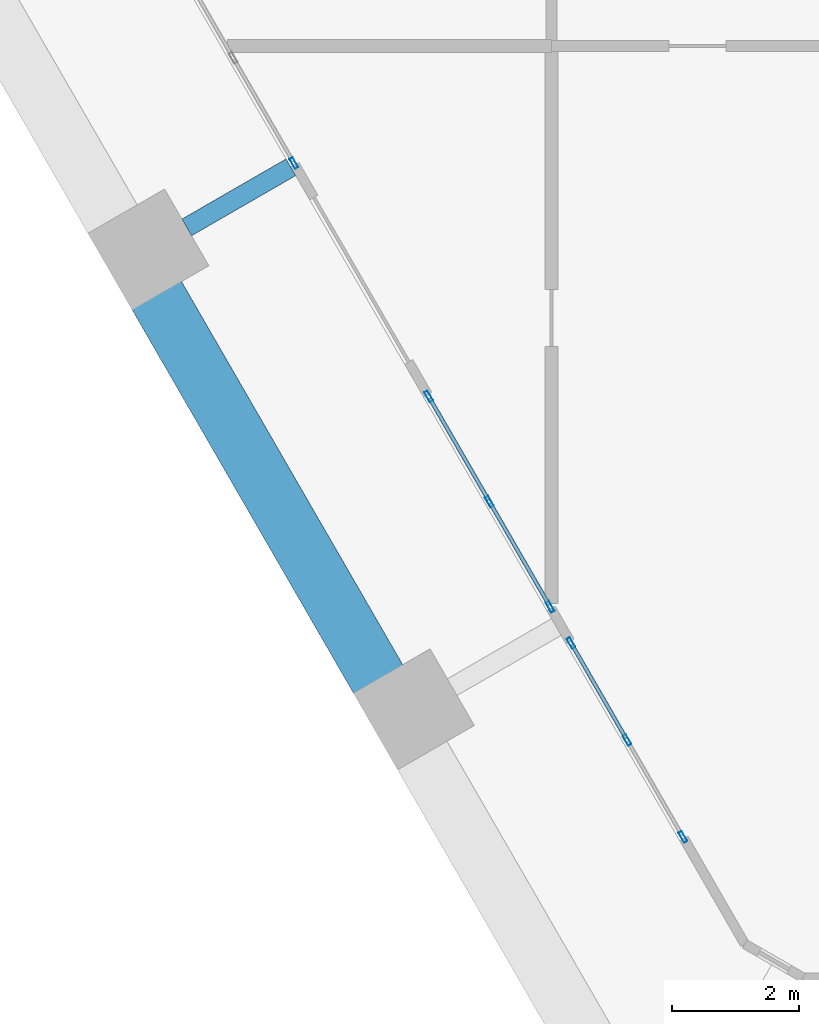
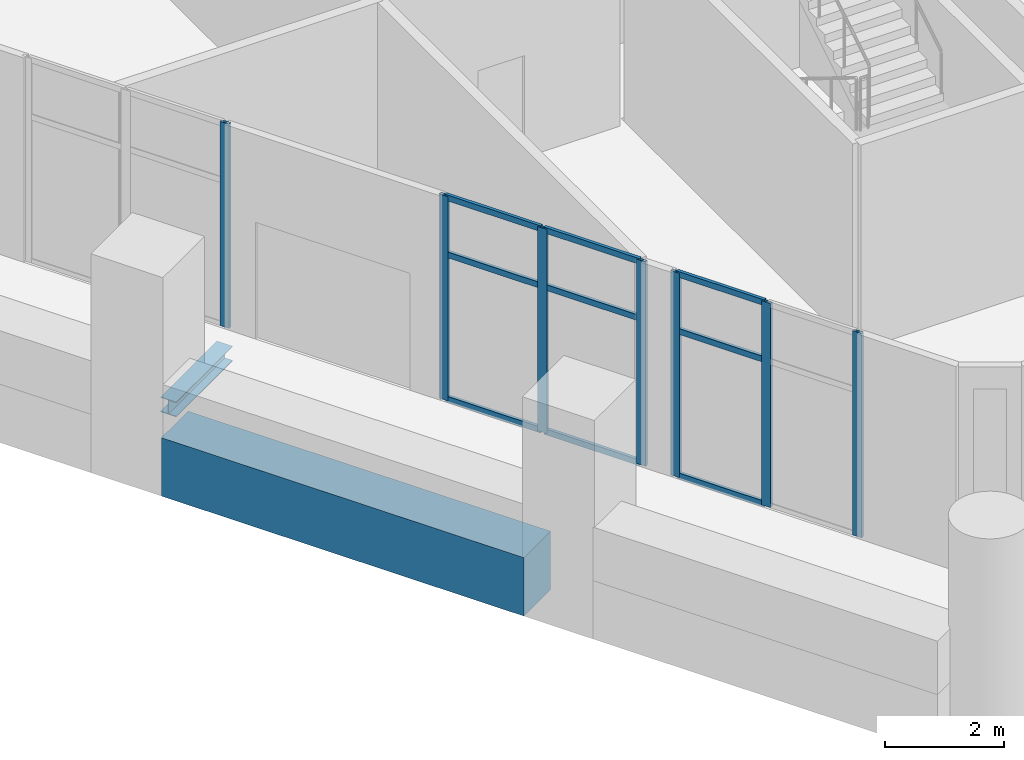
# One storey, part 2 of 18: 16 members, 2 beams, 3 elements without a shape of their own.
"""IFC4 building model written with IfcOpenShell, lengths in metres."""

import ifcopenshell
import ifcopenshell.guid

model = None  # the IFC model being written
_history = None  # IfcOwnerHistory: only IFC2X3 demands one
_inside = {}  # id of a spatial element -> (the spatial element, [elements in it])
_under = {}  # id of a project, library or spatial element -> (it, [spatial elements below it])
_declared = {}  # id of a project -> (the project, [libraries it declares])
_typed = {}  # id of a type object -> (the type object, [elements of that type])
_made_of = {}  # id of a material, layer set ... -> (it, [elements and type objects made of it])


def new_model(schema):
    """Start an empty IFC model of exactly this schema.

    Asked for "IFC4X3", IfcOpenShell would pick the latest addendum, in which some entities
    have other attributes; the version numbers below select the first issue.
    IFC2X3 requires an IfcOwnerHistory on every rooted entity: one is made here for all.
    """
    global model, _history
    if schema == "IFC4X3":
        model = ifcopenshell.file(schema_version=(4, 3, 0, 0))
    else:
        model = ifcopenshell.file(schema=schema)
    _inside.clear()
    _under.clear()
    _declared.clear()
    _typed.clear()
    _made_of.clear()
    _history = None
    if model.schema == "IFC2X3":
        org = make("IfcOrganization", Name="unknown")
        user = make(
            "IfcPersonAndOrganization",
            ThePerson=make("IfcPerson", FamilyName="unknown"),
            TheOrganization=org,
        )
        app = make(
            "IfcApplication",
            ApplicationDeveloper=org,
            Version="unknown",
            ApplicationFullName="unknown",
            ApplicationIdentifier="unknown",
        )
        _history = make(
            "IfcOwnerHistory",
            OwningUser=user,
            OwningApplication=app,
            ChangeAction="ADDED",
            CreationDate=0,
        )
    return model


def make(cls, **values):
    """One entity of the class cls with the attributes given. An attribute that is None is left unset."""
    return model.create_entity(
        cls, **{name: value for name, value in values.items() if value is not None}
    )


def rooted(cls, **values):
    """An entity with a GlobalId (a new one), such as an element, a storey or a relation."""
    return make(cls, GlobalId=ifcopenshell.guid.new(), OwnerHistory=_history, **values)


def si_unit(unit_type, name, prefix=None):
    """IfcSIUnit, for example si_unit("LENGTHUNIT", "METRE", prefix="MILLI")."""
    return make("IfcSIUnit", UnitType=unit_type, Prefix=prefix, Name=name)


def assignment(units):
    """IfcUnitAssignment: the units of a project."""
    return None if units is None else make("IfcUnitAssignment", Units=units)


def point(xyz):
    """IfcCartesianPoint."""
    return None if xyz is None else make("IfcCartesianPoint", Coordinates=xyz)


def direction(xyz):
    """IfcDirection."""
    return None if xyz is None else make("IfcDirection", DirectionRatios=xyz)


def frame(location, z_axis=None, x_axis=None):
    """IfcAxis2Placement3D, a coordinate frame: its origin and axes. An axis left out is left unset."""
    return make(
        "IfcAxis2Placement3D",
        Location=point(location),
        Axis=direction(z_axis),
        RefDirection=direction(x_axis),
    )


def frame_2d(location, x_axis=None):
    """IfcAxis2Placement2D, a coordinate frame in the plane: its origin and x axis."""
    return make(
        "IfcAxis2Placement2D", Location=point(location), RefDirection=direction(x_axis)
    )


def origin():
    """The frame at (0, 0, 0) with its axes left unset."""
    return frame((0.0, 0.0, 0.0))


def origin_2d():
    """The frame at (0, 0) in the plane with its x axis left unset."""
    return frame_2d((0.0, 0.0))


def place(relative_to, where):
    """IfcLocalPlacement: puts the frame where relative to a parent placement (None: the world)."""
    return make(
        "IfcLocalPlacement", PlacementRelTo=relative_to, RelativePlacement=where
    )


def context(
    kind, dimensions, precision=None, world=None, true_north=None, identifier=None
):
    """IfcGeometricRepresentationContext, for example the 3D "Model" context."""
    return make(
        "IfcGeometricRepresentationContext",
        ContextIdentifier=identifier,
        ContextType=kind,
        CoordinateSpaceDimension=dimensions,
        Precision=precision,
        WorldCoordinateSystem=world,
        TrueNorth=true_north,
    )


def subcontext(parent, identifier, kind, view, scale=None):
    """IfcGeometricRepresentationSubContext, for example "Body" below "Model"."""
    return make(
        "IfcGeometricRepresentationSubContext",
        ContextIdentifier=identifier,
        ContextType=kind,
        ParentContext=parent,
        TargetScale=scale,
        TargetView=view,
    )


def project(units=None, contexts=None):
    """IfcProject with its units and contexts."""
    return rooted(
        "IfcProject",
        Name="project",
        RepresentationContexts=contexts,
        UnitsInContext=assignment(units),
    )


def spatial(cls, under=None, at=None, **own):
    """A site, building, storey or space (cls), placed at a placement, below another one or the project."""
    s = rooted(cls, ObjectPlacement=at, **own)
    if under is not None:
        _under.setdefault(under.id(), (under, []))[1].append(s)
    return s


def profile(cls, at=None, kind="AREA", **sizes):
    """A parametric profile (cls). Its sizes go by their IFC names, for example OverallWidth=200.0."""
    return make(cls, ProfileType=kind, Position=at, **sizes)


def rectangle(**sizes):
    """IfcRectangleProfileDef."""
    return profile("IfcRectangleProfileDef", **sizes)


def hollow_rectangle(**sizes):
    """IfcRectangleHollowProfileDef."""
    return profile("IfcRectangleHollowProfileDef", **sizes)


def i_section(**sizes):
    """IfcIShapeProfileDef."""
    return profile("IfcIShapeProfileDef", **sizes)


def extrude(swept, where, along, depth):
    """IfcExtrudedAreaSolid: the profile swept, set in the frame where, extruded along a direction by depth."""
    return make(
        "IfcExtrudedAreaSolid",
        SweptArea=swept,
        Position=where,
        ExtrudedDirection=direction(along),
        Depth=depth,
    )


def shape(context_of_items, identifier, shape_type, items):
    """IfcShapeRepresentation: the items that make up one representation, for example the "Body"."""
    return make(
        "IfcShapeRepresentation",
        ContextOfItems=context_of_items,
        RepresentationIdentifier=identifier,
        RepresentationType=shape_type,
        Items=items,
    )


def material(Name=None, Category=None):
    """IfcMaterial."""
    return make("IfcMaterial", Name=Name, Category=Category)


def material_profile(
    of_material, cross_section, Name=None, Category=None, Priority=None
):
    """IfcMaterialProfile: a cross section and its material."""
    return make(
        "IfcMaterialProfile",
        Name=Name,
        Material=of_material,
        Profile=cross_section,
        Priority=Priority,
        Category=Category,
    )


def profile_set(profiles, Name=None, composite=None):
    """IfcMaterialProfileSet."""
    return make(
        "IfcMaterialProfileSet",
        Name=Name,
        MaterialProfiles=profiles,
        CompositeProfile=composite,
    )


def made_of(thing, what):
    """Note that an element or type object is made of a material, layer set ...; save() writes the relation."""
    if what is not None:
        _made_of.setdefault(what.id(), (what, []))[1].append(thing)
    return thing


def type_object(cls, material=None, **own):
    """A type object (cls), such as IfcWallType, which elements share."""
    return made_of(rooted(cls, **own), material)


def element(
    cls,
    number,
    at=None,
    inside=None,
    cuts=None,
    type_object=None,
    material=None,
    context=None,
    identifier="Body",
    shape_type=None,
    held_by="IfcProductDefinitionShape",
    body=None,
    shapes=None,
    **own,
):
    """One element of the class cls, such as IfcWall. Its Tag is "e" and its number.

    at: its placement. inside: the storey or other place that contains it. cuts: it is an
    opening in that element (IfcRelVoidsElement). A single representation is given by context,
    identifier, shape_type and body (its items); several are given by shapes. held_by: the class
    of the entity that holds the representations. save() writes the other relations.
    """
    e = rooted(cls, Tag="e%d" % number, ObjectPlacement=at, **own)
    if body is not None:
        shapes = [shape(context, identifier, shape_type, body)]
    if shapes is not None:
        e.Representation = make(held_by, Representations=shapes)
    if inside is not None:
        _inside.setdefault(inside.id(), (inside, []))[1].append(e)
    if cuts is not None:
        rooted(
            "IfcRelVoidsElement", RelatingBuildingElement=cuts, RelatedOpeningElement=e
        )
    if type_object is not None:
        _typed.setdefault(type_object.id(), (type_object, []))[1].append(e)
    return made_of(e, material)


def aggregate(whole, parts):
    """IfcRelAggregates: a whole, such as a stair, and the parts it consists of."""
    return rooted("IfcRelAggregates", RelatingObject=whole, RelatedObjects=parts)


def save(model, path):
    """Write the relations noted so far, then the file.

    IfcRelAggregates (storeys below a building ...), IfcRelContainedInSpatialStructure (elements
    in a storey), IfcRelDefinesByType, IfcRelAssociatesMaterial and IfcRelDeclares: one each for
    every whole, place, type object, material and project.
    """
    for whole, parts in _under.values():
        aggregate(whole, parts)
    for where, things in _inside.values():
        rooted(
            "IfcRelContainedInSpatialStructure",
            RelatedElements=things,
            RelatingStructure=where,
        )
    for kind, things in _typed.values():
        rooted("IfcRelDefinesByType", RelatedObjects=things, RelatingType=kind)
    for what, things in _made_of.values():
        rooted("IfcRelAssociatesMaterial", RelatedObjects=things, RelatingMaterial=what)
    for by, libraries in _declared.values():
        rooted("IfcRelDeclares", RelatingContext=by, RelatedDefinitions=libraries)
    model.write(path)


model = new_model("IFC4")

# Units and contexts
model_context = context("Model", 3, precision=1e-05, world=origin(), true_north=direction((0.0, 1.0)))
body_context = subcontext(model_context, "Body", "Model", "MODEL_VIEW")
ifc_project = project(units=[si_unit("LENGTHUNIT", "METRE"), si_unit("AREAUNIT", "SQUARE_METRE"), si_unit("VOLUMEUNIT", "CUBIC_METRE"), si_unit("PLANEANGLEUNIT", "RADIAN"), si_unit("MASSUNIT", "GRAM", prefix="KILO")], contexts=[model_context])

# Site, building, storey
site_placement = place(None, origin())
site = spatial("IfcSite", under=ifc_project, at=site_placement, CompositionType="ELEMENT")
building_placement = place(site_placement, origin())
building = spatial("IfcBuilding", under=site, at=building_placement, Name="Ostrander Bayou Hotel Tower", CompositionType="ELEMENT")
storey_placement = place(building_placement, frame((0.0, 0.0, 19.0)))
storey = spatial("IfcBuildingStorey", under=building, at=storey_placement, Name="L04", CompositionType="ELEMENT", Elevation=19.0)

# Curtain wall, member
ifc_material_1 = material(Name="Aluminium and clear glass", Category="aluminium")
curtain_wall_type = type_object("IfcCurtainWallType", Name="CW-SKY amenity glass wall", PredefinedType="NOTDEFINED", material=ifc_material_1)
curtain_wall_1_placement = place(storey_placement, origin())
curtain_wall_1 = element("IfcCurtainWall", 1, at=curtain_wall_1_placement, inside=storey, type_object=curtain_wall_type, Name="CW-SKY L04 SW 1", PredefinedType="NOTDEFINED")
ifc_material_2 = material(Name="Aluminium", Category="aluminium")
ifc_material_profile_1 = material_profile(ifc_material_2, hollow_rectangle(XDim=0.06005859375, YDim=0.179931640625, WallThickness=0.00390625, at=origin_2d()))
ifc_profile_set_1 = profile_set([ifc_material_profile_1], Name="Aluminium")
member_type_1 = type_object("IfcMemberType", Name="CW-SK mullion 60 x 180 mm", PredefinedType="MULLION", material=ifc_profile_set_1)
member_1_placement = place(storey_placement, frame((-18.071533203125, -5.54931640625, 0.0), z_axis=(0.0, 0.0, 1.0), x_axis=(0.866025463091, 0.499999897278, 0.0)))
member_1 = element("IfcMember", 2, at=member_1_placement, type_object=member_type_1, Name="CW-SKY mullion 3", PredefinedType="MULLION", context=body_context, shape_type="SweptSolid", body=[
    extrude(hollow_rectangle(XDim=0.06005859375, YDim=0.179931640625, WallThickness=0.00390625, at=origin_2d()), origin(), (0.0, 0.0, 1.0), 4.199951171875),
])
aggregate(curtain_wall_1, [member_1])

# Curtain wall, members
curtain_wall_2_placement = place(storey_placement, origin())
curtain_wall_2 = element("IfcCurtainWall", 3, at=curtain_wall_2_placement, inside=storey, type_object=curtain_wall_type, Name="CW-SKY L04 SW 3", PredefinedType="NOTDEFINED")
member_2_placement = place(storey_placement, frame((-15.94140625, -9.238525390625, 0.0), z_axis=(0.0, 0.0, 1.0), x_axis=(0.866025463091, 0.499999897278, 0.0)))
member_2 = element("IfcMember", 4, at=member_2_placement, type_object=member_type_1, Name="CW-SKY mullion 1", PredefinedType="MULLION", context=body_context, shape_type="SweptSolid", body=[
    extrude(hollow_rectangle(XDim=0.06005859375, YDim=0.179931640625, WallThickness=0.00390625, at=origin_2d()), origin(), (0.0, 0.0, 1.0), 4.199951171875),
])
member_3_placement = place(storey_placement, frame((-14.9814453125, -10.9013671875, 0.0), z_axis=(0.0, 0.0, 1.0), x_axis=(0.866025463091, 0.499999897278, 0.0)))
member_3 = element("IfcMember", 5, at=member_3_placement, type_object=member_type_1, Name="CW-SKY mullion 2", PredefinedType="MULLION", context=body_context, shape_type="SweptSolid", body=[
    extrude(hollow_rectangle(XDim=0.06005859375, YDim=0.179931640625, WallThickness=0.00390625, at=origin_2d()), origin(), (0.0, 0.0, 1.0), 4.199951171875),
])
member_4_placement = place(storey_placement, frame((-14.021484375, -12.56396484375, 0.0), z_axis=(0.0, 0.0, 1.0), x_axis=(0.866025463091, 0.499999897278, 0.0)))
member_4 = element("IfcMember", 6, at=member_4_placement, type_object=member_type_1, Name="CW-SKY mullion 3", PredefinedType="MULLION", context=body_context, shape_type="SweptSolid", body=[
    extrude(hollow_rectangle(XDim=0.06005859375, YDim=0.179931640625, WallThickness=0.00390625, at=origin_2d()), origin(), (0.0, 0.0, 1.0), 4.199951171875),
])

curtain_wall_3_placement = place(storey_placement, origin())
curtain_wall_3 = element("IfcCurtainWall", 7, at=curtain_wall_3_placement, inside=storey, type_object=curtain_wall_type, Name="CW-SKY L04 SW 4", PredefinedType="NOTDEFINED")
member_5_placement = place(storey_placement, frame((-13.69140625, -13.135498046875, 0.0), z_axis=(0.0, 0.0, 1.0), x_axis=(0.866025997283, 0.499998972029, 0.0)))
member_5 = element("IfcMember", 8, at=member_5_placement, type_object=member_type_1, Name="CW-SKY mullion 1", PredefinedType="MULLION", context=body_context, shape_type="SweptSolid", body=[
    extrude(hollow_rectangle(XDim=0.06005859375, YDim=0.179931640625, WallThickness=0.00390625, at=origin_2d()), origin(), (0.0, 0.0, 1.0), 4.199951171875),
])
member_6_placement = place(storey_placement, frame((-12.806396484375, -14.66845703125, 0.0), z_axis=(0.0, 0.0, 1.0), x_axis=(0.866025997283, 0.499998972029, 0.0)))
member_6 = element("IfcMember", 9, at=member_6_placement, type_object=member_type_1, Name="CW-SKY mullion 2", PredefinedType="MULLION", context=body_context, shape_type="SweptSolid", body=[
    extrude(hollow_rectangle(XDim=0.06005859375, YDim=0.179931640625, WallThickness=0.00390625, at=origin_2d()), origin(), (0.0, 0.0, 1.0), 4.199951171875),
])
member_7_placement = place(storey_placement, frame((-11.92138671875, -16.201416015625, 0.0), z_axis=(0.0, 0.0, 1.0), x_axis=(0.866025997283, 0.499998972029, 0.0)))
member_7 = element("IfcMember", 10, at=member_7_placement, type_object=member_type_1, Name="CW-SKY mullion 3", PredefinedType="MULLION", context=body_context, shape_type="SweptSolid", body=[
    extrude(hollow_rectangle(XDim=0.06005859375, YDim=0.179931640625, WallThickness=0.00390625, at=origin_2d()), origin(), (0.0, 0.0, 1.0), 4.199951171875),
])

# Member
ifc_material_3 = material(Name="Aluminium", Category="aluminium")
ifc_material_profile_2 = material_profile(ifc_material_3, hollow_rectangle(XDim=0.06005859375, YDim=0.1201171875, WallThickness=0.00390625, at=origin_2d()))
ifc_profile_set_2 = profile_set([ifc_material_profile_2], Name="Aluminium")
member_type_2 = type_object("IfcMemberType", Name="CW-SK transom 60 x 120 mm", PredefinedType="USERDEFINED", material=ifc_profile_set_2)
member_8_placement = place(storey_placement, frame((-15.926513671875, -9.264404296875, 0.030029296875), z_axis=(0.499964847546, -0.866045698112, 0.0), x_axis=(0.866045698112, 0.499964847546, 0.0)))
member_8 = element("IfcMember", 11, at=member_8_placement, type_object=member_type_2, Name="CW-SKY transom 1.1", ObjectType="TRANSOM", PredefinedType="USERDEFINED", context=body_context, shape_type="SweptSolid", body=[
    extrude(hollow_rectangle(XDim=0.06005859375, YDim=0.1201171875, WallThickness=0.00390625, at=origin_2d()), origin(), (0.0, 0.0, 1.0), 1.860107421875),
])

member_9_placement = place(storey_placement, frame((-15.926513671875, -9.264404296875, 3.0), z_axis=(0.499964847546, -0.866045698112, 0.0), x_axis=(0.866045698112, 0.499964847546, 0.0)))
member_9 = element("IfcMember", 12, at=member_9_placement, type_object=member_type_2, Name="CW-SKY transom 1.2", ObjectType="TRANSOM", PredefinedType="USERDEFINED", context=body_context, shape_type="SweptSolid", body=[
    extrude(hollow_rectangle(XDim=0.06005859375, YDim=0.1201171875, WallThickness=0.00390625, at=origin_2d()), origin(), (0.0, 0.0, 1.0), 1.860107421875),
])

member_10_placement = place(storey_placement, frame((-15.926513671875, -9.264404296875, 4.169921875), z_axis=(0.499964847546, -0.866045698112, 0.0), x_axis=(0.866045698112, 0.499964847546, 0.0)))
member_10 = element("IfcMember", 13, at=member_10_placement, type_object=member_type_2, Name="CW-SKY transom 1.3", ObjectType="TRANSOM", PredefinedType="USERDEFINED", context=body_context, shape_type="SweptSolid", body=[
    extrude(hollow_rectangle(XDim=0.06005859375, YDim=0.1201171875, WallThickness=0.00390625, at=origin_2d()), origin(), (0.0, 0.0, 1.0), 1.860107421875),
])

member_11_placement = place(storey_placement, frame((-14.966552734375, -10.92724609375, 0.030029296875), z_axis=(0.499964847546, -0.866045698112, 0.0), x_axis=(0.866045698112, 0.499964847546, 0.0)))
member_11 = element("IfcMember", 14, at=member_11_placement, type_object=member_type_2, Name="CW-SKY transom 2.1", ObjectType="TRANSOM", PredefinedType="USERDEFINED", context=body_context, shape_type="SweptSolid", body=[
    extrude(hollow_rectangle(XDim=0.06005859375, YDim=0.1201171875, WallThickness=0.00390625, at=origin_2d()), origin(), (0.0, 0.0, 1.0), 1.860107421875),
])

member_12_placement = place(storey_placement, frame((-14.966552734375, -10.92724609375, 3.0), z_axis=(0.499964847546, -0.866045698112, 0.0), x_axis=(0.866045698112, 0.499964847546, 0.0)))
member_12 = element("IfcMember", 15, at=member_12_placement, type_object=member_type_2, Name="CW-SKY transom 2.2", ObjectType="TRANSOM", PredefinedType="USERDEFINED", context=body_context, shape_type="SweptSolid", body=[
    extrude(hollow_rectangle(XDim=0.06005859375, YDim=0.1201171875, WallThickness=0.00390625, at=origin_2d()), origin(), (0.0, 0.0, 1.0), 1.860107421875),
])

member_13_placement = place(storey_placement, frame((-14.966552734375, -10.92724609375, 4.169921875), z_axis=(0.499964847546, -0.866045698112, 0.0), x_axis=(0.866045698112, 0.499964847546, 0.0)))
member_13 = element("IfcMember", 16, at=member_13_placement, type_object=member_type_2, Name="CW-SKY transom 2.3", ObjectType="TRANSOM", PredefinedType="USERDEFINED", context=body_context, shape_type="SweptSolid", body=[
    extrude(hollow_rectangle(XDim=0.06005859375, YDim=0.1201171875, WallThickness=0.00390625, at=origin_2d()), origin(), (0.0, 0.0, 1.0), 1.860107421875),
])

aggregate(curtain_wall_2, [member_2, member_3, member_4, member_8, member_9, member_10, member_11, member_12, member_13])

member_14_placement = place(storey_placement, frame((-13.676513671875, -13.16162109375, 0.030029296875), z_axis=(0.499977863513, -0.866038183914, 0.0), x_axis=(0.866038183914, 0.499977863513, 0.0)))
member_14 = element("IfcMember", 17, at=member_14_placement, type_object=member_type_2, Name="CW-SKY transom 1.1", ObjectType="TRANSOM", PredefinedType="USERDEFINED", context=body_context, shape_type="SweptSolid", body=[
    extrude(hollow_rectangle(XDim=0.06005859375, YDim=0.1201171875, WallThickness=0.00390625, at=origin_2d()), origin(), (0.0, 0.0, 1.0), 1.7099609375),
])

member_15_placement = place(storey_placement, frame((-13.676513671875, -13.16162109375, 3.0), z_axis=(0.499977863513, -0.866038183914, 0.0), x_axis=(0.866038183914, 0.499977863513, 0.0)))
member_15 = element("IfcMember", 18, at=member_15_placement, type_object=member_type_2, Name="CW-SKY transom 1.2", ObjectType="TRANSOM", PredefinedType="USERDEFINED", context=body_context, shape_type="SweptSolid", body=[
    extrude(hollow_rectangle(XDim=0.06005859375, YDim=0.1201171875, WallThickness=0.00390625, at=origin_2d()), origin(), (0.0, 0.0, 1.0), 1.7099609375),
])

member_16_placement = place(storey_placement, frame((-13.676513671875, -13.16162109375, 4.169921875), z_axis=(0.499977863513, -0.866038183914, 0.0), x_axis=(0.866038183914, 0.499977863513, 0.0)))
member_16 = element("IfcMember", 19, at=member_16_placement, type_object=member_type_2, Name="CW-SKY transom 1.3", ObjectType="TRANSOM", PredefinedType="USERDEFINED", context=body_context, shape_type="SweptSolid", body=[
    extrude(hollow_rectangle(XDim=0.06005859375, YDim=0.1201171875, WallThickness=0.00390625, at=origin_2d()), origin(), (0.0, 0.0, 1.0), 1.7099609375),
])

aggregate(curtain_wall_3, [member_5, member_6, member_7, member_14, member_15, member_16])

# Beams
ifc_material_4 = material(Name="Steel ASTM A992", Category="steel")
ifc_material_profile_3 = material_profile(ifc_material_4, i_section(OverallWidth=0.3046875, OverallDepth=0.307861328125, WebThickness=0.010009765625, FlangeThickness=0.015380859375, at=origin_2d()))
ifc_profile_set_3 = profile_set([ifc_material_profile_3], Name="Steel ASTM A992")
beam_type_1 = type_object("IfcBeamType", Name="LB1 loggia bracket W12x65", PredefinedType="BEAM", material=ifc_profile_set_3)
beam_1_placement = place(storey_placement, frame((-19.7646484375, -6.566650390625, -0.453857421875), z_axis=(0.866044365799, 0.499967155389, 0.0), x_axis=(-0.499967155389, 0.866044365799, 0.0)))
element("IfcBeam", 20, at=beam_1_placement, inside=storey, type_object=beam_type_1, Name="LB1 L04 SW1", PredefinedType="BEAM", context=body_context, shape_type="SweptSolid", body=[
    extrude(i_section(OverallWidth=0.3046875, OverallDepth=0.307861328125, WebThickness=0.010009765625, FlangeThickness=0.015380859375, at=origin_2d()), origin(), (0.0, 0.0, 1.0), 1.900146484375),
])
ifc_material_5 = material(Name="Concrete f'c 70 MPa", Category="concrete")
ifc_material_profile_4 = material_profile(ifc_material_5, rectangle(XDim=0.89990234375, YDim=1.199951171875, at=origin_2d()))
ifc_profile_set_4 = profile_set([ifc_material_profile_4], Name="Concrete f'c 70 MPa")
beam_type_2 = type_object("IfcBeamType", Name="SP1 spandrel beam 900 x 1200 mm f'c 70 MPa", PredefinedType="SPANDREL", material=ifc_profile_set_4)
beam_2_placement = place(storey_placement, frame((-20.252197265625, -7.621826171875, -0.60009765625), z_axis=(0.499997206141, -0.866027016814, 0.0), x_axis=(0.866027016814, 0.499997206141, 0.0)))
element("IfcBeam", 21, at=beam_2_placement, inside=storey, type_object=beam_type_2, Name="SP1 L04 SW-2", PredefinedType="SPANDREL", context=body_context, shape_type="SweptSolid", body=[
    extrude(rectangle(XDim=0.89990234375, YDim=1.199951171875, at=origin_2d()), origin(), (0.0, 0.0, 1.0), 7.05078125),
])

save(model, "model.ifc")
